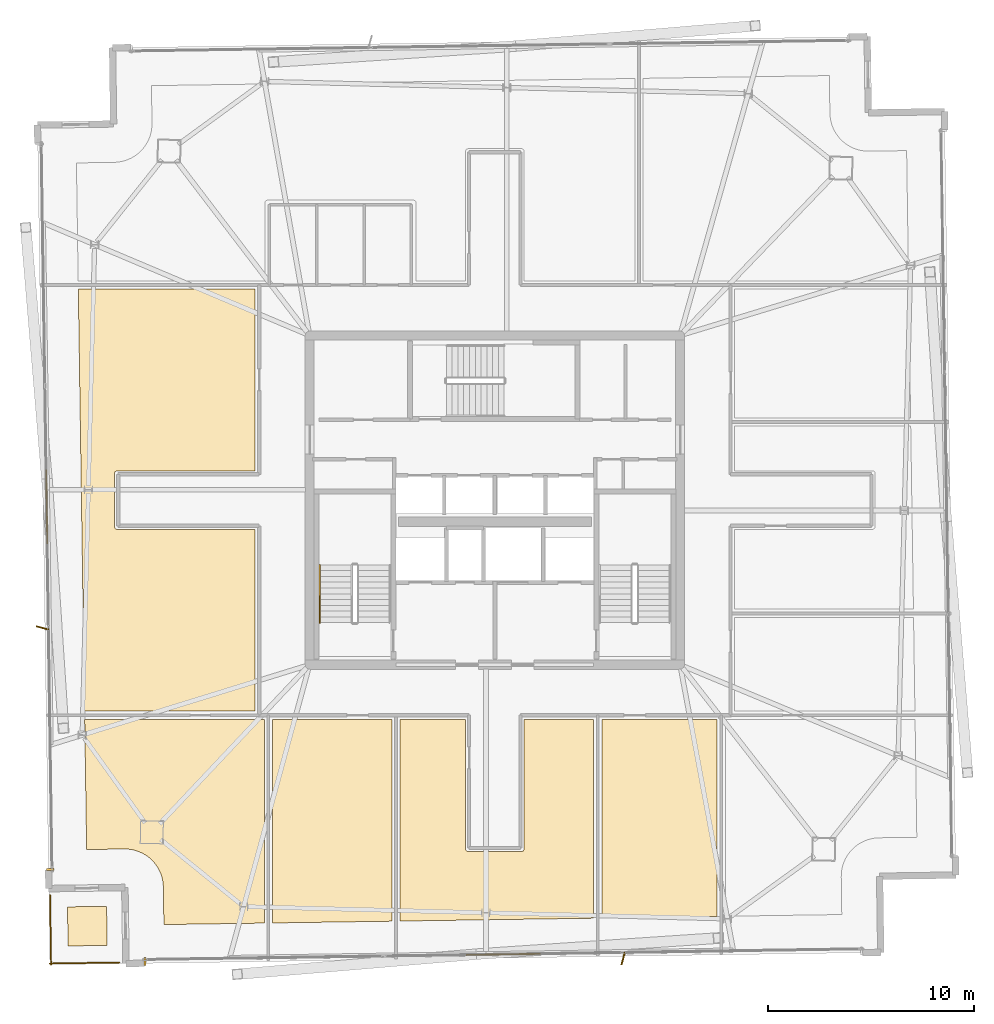
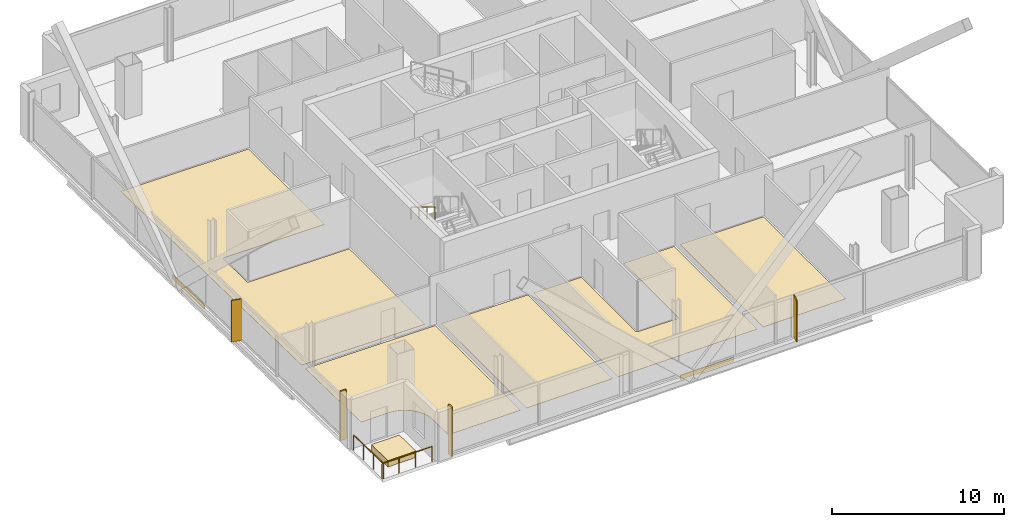
# One storey, part 23 of 25: 10 coverings, 3 railings, 2 shading devices.
"""IFC4 building model written with IfcOpenShell, lengths in metres."""

from ifc_helpers import new_model, si_unit, direction, frame, origin, origin_2d, place, context, subcontext, project, spatial, polyline, rectangle, outline, extrude, source, transform, mapped, material, layer, layer_set, type_object, element, save


model = new_model("IFC4")

# Units and contexts
model_context = context("Model", 3, precision=1e-05, world=origin(), true_north=direction((0.0, 1.0)))
body_context = subcontext(model_context, "Body", "Model", "MODEL_VIEW")
ifc_project = project(units=[si_unit("LENGTHUNIT", "METRE"), si_unit("AREAUNIT", "SQUARE_METRE"), si_unit("VOLUMEUNIT", "CUBIC_METRE"), si_unit("PLANEANGLEUNIT", "RADIAN"), si_unit("MASSUNIT", "GRAM", prefix="KILO")], contexts=[model_context])

# Site, building, storey
site_placement = place(None, origin())
site = spatial("IfcSite", under=ifc_project, at=site_placement, CompositionType="ELEMENT")
building_placement = place(site_placement, origin())
building = spatial("IfcBuilding", under=site, at=building_placement, Name="Haldenkirk Collegiate Tower", CompositionType="ELEMENT")
storey_placement = place(building_placement, frame((0.0, 0.0, 332.699951171875)))
storey = spatial("IfcBuildingStorey", under=building, at=storey_placement, Name="L84", CompositionType="ELEMENT", Elevation=332.699951171875)

# Coverings
ifc_material_1 = material(Name="Polished collegiate terrazzo", Category="concrete")
ifc_layer_1 = layer(ifc_material_1, 0.02490234375)
ifc_layer_set_1 = layer_set([ifc_layer_1], Name="Polished collegiate terrazzo")
covering_type_1 = type_object("IfcCoveringType", Name="COV-FLOOR-TERRAZZO", PredefinedType="FLOORING", material=ifc_layer_set_1)
covering_1_placement = place(storey_placement, origin())
element("IfcCovering", 1, at=covering_1_placement, inside=storey, type_object=covering_type_1, Name="L84 academic room finish 02", PredefinedType="FLOORING", context=body_context, shape_type="SweptSolid", body=[
    extrude(outline(polyline([(25.199951171875, 5.45751953125), (25.199951171875, 15.35009765625), (31.0, 15.35009765625), (31.0, 5.54345703125), (25.199951171875, 5.45751953125)])), origin(), (0.0, 0.0, 1.0), 0.025146484375),
])
covering_2_placement = place(storey_placement, origin())
element("IfcCovering", 2, at=covering_2_placement, inside=storey, type_object=covering_type_1, Name="L84 academic room finish 04", PredefinedType="FLOORING", context=body_context, shape_type="SweptSolid", body=[
    extrude(outline(polyline([(41.199951171875, 5.69482421875), (41.199951171875, 15.35009765625), (46.800048828125, 15.35009765625), (46.800048828125, 5.778076171875), (41.199951171875, 5.69482421875)])), origin(), (0.0, 0.0, 1.0), 0.025146484375),
])
covering_3_placement = place(storey_placement, origin())
element("IfcCovering", 3, at=covering_3_placement, inside=storey, type_object=covering_type_1, Name="L84 academic room finish 08", PredefinedType="FLOORING", context=body_context, shape_type="SweptSolid", body=[
    extrude(outline(polyline([(17.64990234375, 27.419921875), (17.63818359375, 27.41943359375), (17.626708984375, 27.417724609375), (17.615234375, 27.414794921875), (17.60400390625, 27.410888671875), (17.593505859375, 27.40576171875), (17.583251953125, 27.39990234375), (17.573974609375, 27.392822265625), (17.565185546875, 27.385009765625), (17.55712890625, 27.376220703125), (17.55029296875, 27.36669921875), (17.544189453125, 27.356689453125), (17.5390625, 27.345947265625), (17.53515625, 27.334716796875), (17.5322265625, 27.323486328125), (17.530517578125, 27.311767578125), (17.530029296875, 27.300048828125), (17.530029296875, 24.699951171875), (17.530517578125, 24.688232421875), (17.5322265625, 24.676513671875), (17.53515625, 24.665283203125), (17.5390625, 24.654052734375), (17.544189453125, 24.643310546875), (17.55029296875, 24.63330078125), (17.55712890625, 24.623779296875), (17.565185546875, 24.614990234375), (17.573974609375, 24.607177734375), (17.583251953125, 24.60009765625), (17.593505859375, 24.59423828125), (17.60400390625, 24.589111328125), (17.615234375, 24.585205078125), (17.626708984375, 24.582275390625), (17.63818359375, 24.58056640625), (17.64990234375, 24.580078125), (24.35009765625, 24.580078125), (24.35009765625, 15.75), (16.06982421875, 15.75), (15.765625, 36.25), (24.35009765625, 36.25), (24.35009765625, 27.419921875), (17.64990234375, 27.419921875)])), origin(), (0.0, 0.0, 1.0), 0.025146484375),
])
ifc_material_2 = material(Name="Engineered collegiate oak acoustic flooring", Category="wood")
ifc_layer_2 = layer(ifc_material_2, 0.02197265625)
ifc_layer_set_2 = layer_set([ifc_layer_2], Name="Engineered collegiate oak acoustic flooring")
covering_type_2 = type_object("IfcCoveringType", Name="COV-FLOOR-TIMBER", PredefinedType="FLOORING", material=ifc_layer_set_2)
covering_4_placement = place(storey_placement, origin())
element("IfcCovering", 4, at=covering_4_placement, inside=storey, type_object=covering_type_2, Name="L84 academic room finish 01", PredefinedType="FLOORING", context=body_context, shape_type="SweptSolid", body=[
    extrude(outline(polyline([(19.924072265625, 5.37939453125), (19.89697265625, 7.208984375), (19.896728515625, 7.215087890625), (19.8857421875, 7.386474609375), (19.884521484375, 7.398193359375), (19.856689453125, 7.5673828125), (19.854248046875, 7.5791015625), (19.81005859375, 7.7451171875), (19.806396484375, 7.756103515625), (19.746337890625, 7.9169921875), (19.74169921875, 7.927734375), (19.666015625, 8.08203125), (19.66015625, 8.09228515625), (19.569580078125, 8.23828125), (19.56298828125, 8.247802734375), (19.45849609375, 8.38427734375), (19.450927734375, 8.393310546875), (19.333740234375, 8.518798828125), (19.325439453125, 8.527099609375), (19.196533203125, 8.640380859375), (19.187255859375, 8.647705078125), (19.0478515625, 8.748046875), (19.0380859375, 8.75439453125), (18.889404296875, 8.840576171875), (18.87890625, 8.845947265625), (18.722412109375, 8.9169921875), (18.711669921875, 8.92138671875), (18.549072265625, 8.976806640625), (18.537841796875, 8.97998046875), (18.37060546875, 9.019287109375), (18.35888671875, 9.021484375), (18.188720703125, 9.044189453125), (18.177001953125, 9.045166015625), (18.00537109375, 9.051025390625), (17.99951171875, 9.051025390625), (16.169677734375, 9.02392578125), (16.07568359375, 15.35009765625), (24.800048828125, 15.35009765625), (24.800048828125, 5.451416015625), (19.924072265625, 5.37939453125)])), origin(), (0.0, 0.0, 1.0), 0.02197265625),
])
covering_5_placement = place(storey_placement, origin())
element("IfcCovering", 5, at=covering_5_placement, inside=storey, type_object=covering_type_2, Name="L84 academic room finish 03", PredefinedType="FLOORING", context=body_context, shape_type="SweptSolid", body=[
    extrude(outline(polyline([(31.39990234375, 5.549560546875), (31.39990234375, 15.35009765625), (34.580078125, 15.35009765625), (34.580078125, 9.050048828125), (34.58056640625, 9.0380859375), (34.582275390625, 9.026611328125), (34.585205078125, 9.01513671875), (34.589111328125, 9.004150390625), (34.59423828125, 8.993408203125), (34.60009765625, 8.9833984375), (34.607177734375, 8.973876953125), (34.614990234375, 8.965087890625), (34.623779296875, 8.957275390625), (34.63330078125, 8.9501953125), (34.643310546875, 8.944091796875), (34.654052734375, 8.939208984375), (34.665283203125, 8.935302734375), (34.676513671875, 8.932373046875), (34.688232421875, 8.9306640625), (34.699951171875, 8.929931640625), (37.300048828125, 8.929931640625), (37.311767578125, 8.9306640625), (37.323486328125, 8.932373046875), (37.334716796875, 8.935302734375), (37.345947265625, 8.939208984375), (37.356689453125, 8.944091796875), (37.36669921875, 8.9501953125), (37.376220703125, 8.957275390625), (37.385009765625, 8.965087890625), (37.392822265625, 8.973876953125), (37.39990234375, 8.9833984375), (37.40576171875, 8.993408203125), (37.410888671875, 9.004150390625), (37.414794921875, 9.01513671875), (37.417724609375, 9.026611328125), (37.41943359375, 9.0380859375), (37.419921875, 9.050048828125), (37.419921875, 15.35009765625), (40.800048828125, 15.35009765625), (40.800048828125, 5.68896484375), (31.39990234375, 5.549560546875)])), origin(), (0.0, 0.0, 1.0), 0.02197265625),
])
ifc_material_3 = material(Name="Precast concrete f'c 40 MPa", Category="concrete")
ifc_layer_3 = layer(ifc_material_3, 0.449951171875)
ifc_layer_set_3 = layer_set([ifc_layer_3], Name="Precast concrete f'c 40 MPa")
covering_type_3 = type_object("IfcCoveringType", Name="COV-PLANTER-450", PredefinedType="USERDEFINED", material=ifc_layer_set_3)
covering_6_placement = place(storey_placement, origin())
element("IfcCovering", 6, at=covering_6_placement, inside=storey, type_object=covering_type_3, Name="L84 planted garden planter bed", ObjectType="PLANTER", PredefinedType="USERDEFINED", context=body_context, shape_type="SweptSolid", body=[
    extrude(outline(polyline([(17.168701171875, 4.3681640625), (15.26904296875, 4.340087890625), (15.240966796875, 6.239990234375), (17.140625, 6.26806640625), (17.168701171875, 4.3681640625)])), origin(), (0.0, 0.0, 1.0), 0.449951171875),
])

# Railings
ifc_material_4 = material(Name="Painted architectural tubular steel", Category="steel")
railing_type_1 = type_object("IfcRailingType", Name="RLG-STAIR-HANDRAIL-900", PredefinedType="HANDRAIL", material=ifc_material_4)
railing_1_placement = place(storey_placement, frame((27.5, 22.85009765625, 2.04541015625)))
element("IfcRailing", 7, at=railing_1_placement, inside=storey, type_object=railing_type_1, Name="L84 ST-1 stair handrail 2", PredefinedType="HANDRAIL", context=body_context, shape_type="SweptSolid", body=[
    extrude(rectangle(XDim=0.048095703125, YDim=0.048095703125, at=origin_2d()), frame((0.0, 0.0, 0.8759765625), z_axis=(0.0, -0.854169791009, 0.51999420009), x_axis=(1.0, 0.0, 0.0)), (0.0, 0.0, 1.0), 3.278076171875),
    extrude(rectangle(XDim=0.0419921875, YDim=0.0419921875, at=origin_2d()), origin(), (0.0, 0.0, 1.0), 0.851806640625),
    extrude(rectangle(XDim=0.0419921875, YDim=0.0419921875, at=origin_2d()), frame((0.0, -0.933349609375, 0.568115234375)), (0.0, 0.0, 1.0), 0.851806640625),
    extrude(rectangle(XDim=0.0419921875, YDim=0.0419921875, at=origin_2d()), frame((0.0, -1.86669921875, 1.136474609375)), (0.0, 0.0, 1.0), 0.851806640625),
    extrude(rectangle(XDim=0.0419921875, YDim=0.0419921875, at=origin_2d()), frame((0.0, -2.800048828125, 1.70458984375)), (0.0, 0.0, 1.0), 0.851806640625),
])
ifc_material_5 = material(Name="Anodised architectural bronze aluminium", Category="aluminium")
railing_type_2 = type_object("IfcRailingType", Name="RLG-TERR-BALUSTRADE-1100", PredefinedType="BALUSTRADE", material=ifc_material_5)
railing_2_placement = place(storey_placement, frame((14.392333984375, 6.807373046875, 0.0)))
element("IfcRailing", 8, at=railing_2_placement, inside=storey, type_object=railing_type_2, Name="L84 terrace guard balustrade 3-1", PredefinedType="BALUSTRADE", context=body_context, shape_type="SweptSolid", body=[
    extrude(rectangle(XDim=0.048095703125, YDim=0.048095703125, at=origin_2d()), frame((0.0, 0.0, 1.076171875), z_axis=(0.014807305136, -0.999890365847, 0.0), x_axis=(0.999890365847, 0.014807305136, 0.0)), (0.0, 0.0, 1.0), 3.380126953125),
    extrude(rectangle(XDim=0.0419921875, YDim=0.0419921875, at=origin_2d()), origin(), (0.0, 0.0, 1.0), 1.052001953125),
    extrude(rectangle(XDim=0.0419921875, YDim=0.0419921875, at=origin_2d()), frame((0.0166015625, -1.12646484375, 0.0)), (0.0, 0.0, 1.0), 1.052001953125),
    extrude(rectangle(XDim=0.0419921875, YDim=0.0419921875, at=origin_2d()), frame((0.033447265625, -2.253173828125, 0.0)), (0.0, 0.0, 1.0), 1.052001953125),
    extrude(rectangle(XDim=0.0419921875, YDim=0.0419921875, at=origin_2d()), frame((0.050048828125, -3.379638671875, 0.0)), (0.0, 0.0, 1.0), 1.052001953125),
])
railing_3_placement = place(storey_placement, frame((14.381591796875, 3.48681640625, 0.0)))
element("IfcRailing", 9, at=railing_3_placement, inside=storey, type_object=railing_type_2, Name="L84 terrace guard balustrade 4-1", PredefinedType="BALUSTRADE", context=body_context, shape_type="SweptSolid", body=[
    extrude(rectangle(XDim=0.048095703125, YDim=0.048095703125, at=origin_2d()), frame((0.0, 0.0, 1.076171875), z_axis=(0.999890365847, 0.014807305136, 0.0), x_axis=(-0.014807305136, 0.999890365847, 0.0)), (0.0, 0.0, 1.0), 3.380126953125),
    extrude(rectangle(XDim=0.0419921875, YDim=0.0419921875, at=origin_2d()), origin(), (0.0, 0.0, 1.0), 1.052001953125),
    extrude(rectangle(XDim=0.0419921875, YDim=0.0419921875, at=origin_2d()), frame((1.12646484375, 0.0166015625, 0.0)), (0.0, 0.0, 1.0), 1.052001953125),
    extrude(rectangle(XDim=0.0419921875, YDim=0.0419921875, at=origin_2d()), frame((2.253173828125, 0.033447265625, 0.0)), (0.0, 0.0, 1.0), 1.052001953125),
    extrude(rectangle(XDim=0.0419921875, YDim=0.0419921875, at=origin_2d()), frame((3.379638671875, 0.050048828125, 0.0)), (0.0, 0.0, 1.0), 1.052001953125),
])

# Coverings
ifc_layer_4 = layer(ifc_material_5, 0.06005859375)
ifc_layer_set_4 = layer_set([ifc_layer_4], Name="Anodised architectural bronze aluminium")
covering_type_4 = type_object("IfcCoveringType", Name="COV-CLAD-BRONZE-60", PredefinedType="CLADDING", material=ifc_layer_set_4)
shared_shape_1 = source(origin(), body_context, "Body", "SweptSolid", [
    extrude(rectangle(XDim=3.60009765625, YDim=0.06005859375, at=origin_2d()), origin(), (0.0, 0.0, 1.0), 0.300048828125),
])
for number, where, z_axis, x_axis, name in (
    (10, (14.232421875, 25.677001953125, -0.2998046875), (0.0, 0.0, 1.0), (-0.014834754474, 0.999889958975, 0.0), "L84 architectural bronze spandrel cladding N"),
    (11, (36.414794921875, 3.93359375, -0.2998046875), (0.0, 0.0, 1.0), (-0.999889958975, -0.014834754474, 0.0), "L84 architectural bronze spandrel cladding W"),
):
    element("IfcCovering", number, at=place(storey_placement, frame(where, z_axis=z_axis, x_axis=x_axis)), inside=storey, type_object=covering_type_4, Name=name, PredefinedType="CLADDING", context=body_context, shape_type="MappedRepresentation", body=[
        mapped(shared_shape_1, transform((0.0, 0.0, 0.0), x_axis=(1.0, 0.0, 0.0), y_axis=(0.0, 1.0, 0.0), z_axis=(0.0, 0.0, 1.0), scale=1.0)),
    ])
shared_shape_2 = source(origin(), body_context, "Body", "SweptSolid", [
    extrude(rectangle(XDim=0.10009765625, YDim=0.3798828125, at=origin_2d()), origin(), (0.0, 0.0, 1.0), 3.489990234375),
])
for number, where, z_axis, x_axis, name in (
    (12, (14.40380859375, 8.0576171875, 0.0), (0.0, 0.0, 1.0), (-0.014834754474, 0.999889958975, 0.0), "L84 recessed curtain-wall bronze jamb closure NJL"),
    (13, (19.0107421875, 3.58544921875, 0.0), (0.0, 0.0, 1.0), (-0.999889958975, -0.014834754474, 0.0), "L84 recessed curtain-wall bronze jamb closure WJR"),
):
    element("IfcCovering", number, at=place(storey_placement, frame(where, z_axis=z_axis, x_axis=x_axis)), inside=storey, type_object=covering_type_4, Name=name, PredefinedType="CLADDING", context=body_context, shape_type="MappedRepresentation", body=[
        mapped(shared_shape_2, transform((0.0, 0.0, 0.0), x_axis=(1.0, 0.0, 0.0), y_axis=(0.0, 1.0, 0.0), z_axis=(0.0, 0.0, 1.0), scale=1.0)),
    ])

# Shading devices
ifc_layer_5 = layer(ifc_material_5, 0.06494140625)
ifc_layer_set_5 = layer_set([ifc_layer_5], Name="Anodised architectural bronze aluminium")
shading_device_type = type_object("IfcShadingDeviceType", Name="SHD-FIN-BRONZE-620", PredefinedType="USERDEFINED", material=ifc_layer_set_5)
shared_shape_3 = source(origin(), body_context, "Body", "SweptSolid", [
    extrude(rectangle(XDim=0.6201171875, YDim=0.06494140625, at=origin_2d()), origin(), (0.0, 0.0, 1.0), 2.947998046875),
])
for number, where, z_axis, x_axis, name in (
    (14, (14.024658203125, 19.7900390625, 0.0), (0.0, 0.0, 1.0), (-0.965244930214, 0.261346943155, 0.0), "L84 folded bronze solar fin 1"),
    (15, (42.231201171875, 3.72509765625, 0.0), (0.0, 0.0, 1.0), (-0.261346943155, -0.965244930214, 0.0), "L84 folded bronze solar fin 1"),
):
    element("IfcShadingDevice", number, at=place(storey_placement, frame(where, z_axis=z_axis, x_axis=x_axis)), inside=storey, type_object=shading_device_type, Name=name, ObjectType="FIN", PredefinedType="USERDEFINED", context=body_context, shape_type="MappedRepresentation", body=[
        mapped(shared_shape_3, transform((0.0, 0.0, 0.0), x_axis=(1.0, 0.0, 0.0), y_axis=(0.0, 1.0, 0.0), z_axis=(0.0, 0.0, 1.0), scale=1.0)),
    ])

save(model, "model.ifc")
